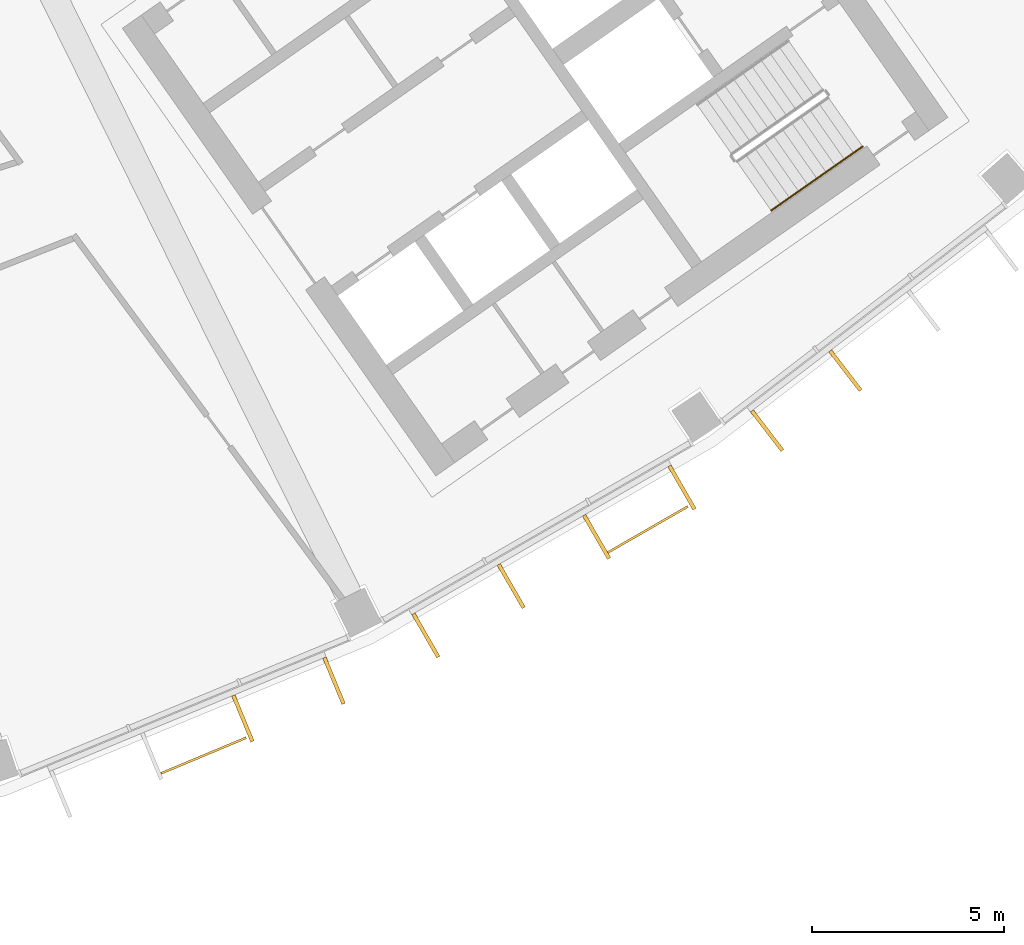
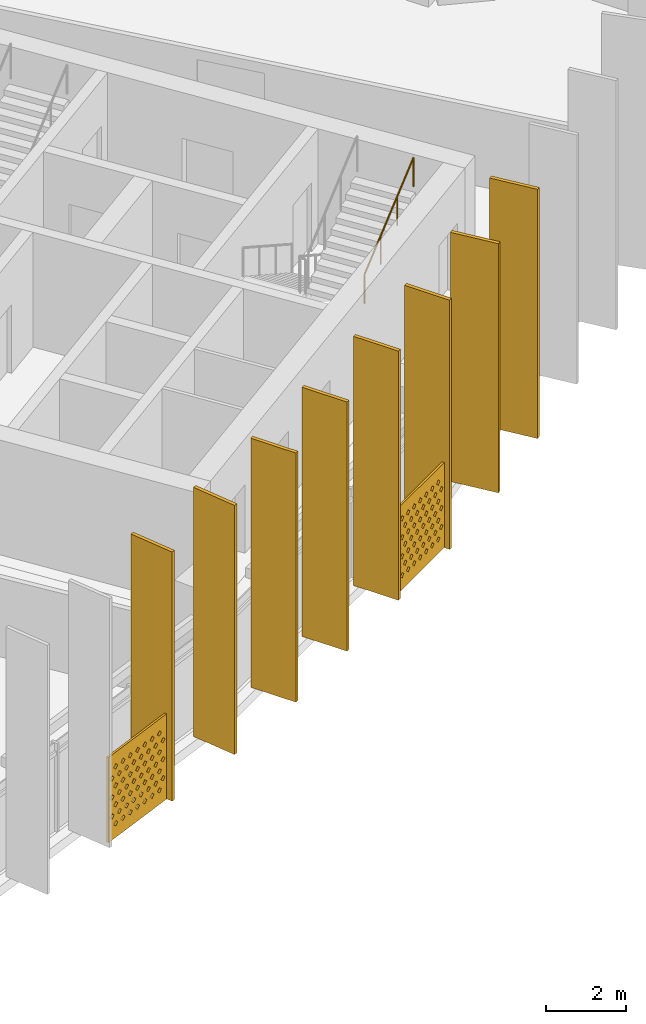
# One storey, part 27 of 29: 10 shading devices, 1 railing.
"""IFC4 building model written with IfcOpenShell, lengths in metres."""

from ifc_helpers import new_model, si_unit, direction, frame, origin, origin_2d, place, context, subcontext, project, spatial, polyline, rectangle, circle, outline, extrude, material, material_profile, profile_set, type_object, element, save


model = new_model("IFC4")

# Units and contexts
model_context = context("Model", 3, precision=1e-05, world=origin(), true_north=direction((0.0, 1.0)))
body_context = subcontext(model_context, "Body", "Model", "MODEL_VIEW")
ifc_project = project(units=[si_unit("LENGTHUNIT", "METRE"), si_unit("AREAUNIT", "SQUARE_METRE"), si_unit("VOLUMEUNIT", "CUBIC_METRE"), si_unit("PLANEANGLEUNIT", "RADIAN"), si_unit("MASSUNIT", "GRAM", prefix="KILO")], contexts=[model_context])

# Site, building, storey
site_placement = place(None, origin())
site = spatial("IfcSite", under=ifc_project, at=site_placement, CompositionType="ELEMENT")
building_placement = place(site_placement, origin())
building = spatial("IfcBuilding", under=site, at=building_placement, Name="Qamariyya Broadcast Tower", CompositionType="ELEMENT")
storey_placement = place(building_placement, frame((0.0, 0.0, 258.10009765625)))
storey = spatial("IfcBuildingStorey", under=building, at=storey_placement, Name="L62", CompositionType="ELEMENT", Elevation=258.10009765625)

# Shading devices
ifc_material_1 = material(Name="Perforated glazed terracotta", Category="masonry")
ifc_material_profile_1 = material_profile(ifc_material_1, outline(polyline([(-1.199951171875, -1.300048828125), (1.199951171875, -1.300048828125), (1.199951171875, 1.300048828125), (-1.199951171875, 1.300048828125), (-1.199951171875, -1.300048828125)]), holes=[polyline([(-0.81494140625, -0.86669921875), (-0.89990234375, -0.78173828125), (-0.985107421875, -0.86669921875), (-0.89990234375, -0.95166015625), (-0.81494140625, -0.86669921875)]), polyline([(-0.514892578125, -0.86669921875), (-0.60009765625, -0.78173828125), (-0.68505859375, -0.86669921875), (-0.60009765625, -0.95166015625), (-0.514892578125, -0.86669921875)]), polyline([(-0.215087890625, -0.86669921875), (-0.300048828125, -0.78173828125), (-0.385009765625, -0.86669921875), (-0.300048828125, -0.95166015625), (-0.215087890625, -0.86669921875)]), polyline([(0.0849609375, -0.86669921875), (0.0, -0.78173828125), (-0.0849609375, -0.86669921875), (0.0, -0.95166015625), (0.0849609375, -0.86669921875)]), polyline([(0.385009765625, -0.86669921875), (0.300048828125, -0.78173828125), (0.215087890625, -0.86669921875), (0.300048828125, -0.95166015625), (0.385009765625, -0.86669921875)]), polyline([(0.68505859375, -0.86669921875), (0.60009765625, -0.78173828125), (0.514892578125, -0.86669921875), (0.60009765625, -0.95166015625), (0.68505859375, -0.86669921875)]), polyline([(0.985107421875, -0.86669921875), (0.89990234375, -0.78173828125), (0.81494140625, -0.86669921875), (0.89990234375, -0.95166015625), (0.985107421875, -0.86669921875)]), polyline([(-0.965087890625, -0.577880859375), (-1.050048828125, -0.49267578125), (-1.135009765625, -0.577880859375), (-1.050048828125, -0.662841796875), (-0.965087890625, -0.577880859375)]), polyline([(-0.6650390625, -0.577880859375), (-0.75, -0.49267578125), (-0.8349609375, -0.577880859375), (-0.75, -0.662841796875), (-0.6650390625, -0.577880859375)]), polyline([(-0.364990234375, -0.577880859375), (-0.449951171875, -0.49267578125), (-0.534912109375, -0.577880859375), (-0.449951171875, -0.662841796875), (-0.364990234375, -0.577880859375)]), polyline([(-0.06494140625, -0.577880859375), (-0.14990234375, -0.49267578125), (-0.235107421875, -0.577880859375), (-0.14990234375, -0.662841796875), (-0.06494140625, -0.577880859375)]), polyline([(0.235107421875, -0.577880859375), (0.14990234375, -0.49267578125), (0.06494140625, -0.577880859375), (0.14990234375, -0.662841796875), (0.235107421875, -0.577880859375)]), polyline([(0.534912109375, -0.577880859375), (0.449951171875, -0.49267578125), (0.364990234375, -0.577880859375), (0.449951171875, -0.662841796875), (0.534912109375, -0.577880859375)]), polyline([(0.8349609375, -0.577880859375), (0.75, -0.49267578125), (0.6650390625, -0.577880859375), (0.75, -0.662841796875), (0.8349609375, -0.577880859375)]), polyline([(1.135009765625, -0.577880859375), (1.050048828125, -0.49267578125), (0.965087890625, -0.577880859375), (1.050048828125, -0.662841796875), (1.135009765625, -0.577880859375)]), polyline([(-0.81494140625, -0.288818359375), (-0.89990234375, -0.203857421875), (-0.985107421875, -0.288818359375), (-0.89990234375, -0.373779296875), (-0.81494140625, -0.288818359375)]), polyline([(-0.514892578125, -0.288818359375), (-0.60009765625, -0.203857421875), (-0.68505859375, -0.288818359375), (-0.60009765625, -0.373779296875), (-0.514892578125, -0.288818359375)]), polyline([(-0.215087890625, -0.288818359375), (-0.300048828125, -0.203857421875), (-0.385009765625, -0.288818359375), (-0.300048828125, -0.373779296875), (-0.215087890625, -0.288818359375)]), polyline([(0.0849609375, -0.288818359375), (0.0, -0.203857421875), (-0.0849609375, -0.288818359375), (0.0, -0.373779296875), (0.0849609375, -0.288818359375)]), polyline([(0.385009765625, -0.288818359375), (0.300048828125, -0.203857421875), (0.215087890625, -0.288818359375), (0.300048828125, -0.373779296875), (0.385009765625, -0.288818359375)]), polyline([(0.68505859375, -0.288818359375), (0.60009765625, -0.203857421875), (0.514892578125, -0.288818359375), (0.60009765625, -0.373779296875), (0.68505859375, -0.288818359375)]), polyline([(0.985107421875, -0.288818359375), (0.89990234375, -0.203857421875), (0.81494140625, -0.288818359375), (0.89990234375, -0.373779296875), (0.985107421875, -0.288818359375)]), polyline([(-0.965087890625, 0.0), (-1.050048828125, 0.0849609375), (-1.135009765625, 0.0), (-1.050048828125, -0.0849609375), (-0.965087890625, 0.0)]), polyline([(-0.6650390625, 0.0), (-0.75, 0.0849609375), (-0.8349609375, 0.0), (-0.75, -0.0849609375), (-0.6650390625, 0.0)]), polyline([(-0.364990234375, 0.0), (-0.449951171875, 0.0849609375), (-0.534912109375, 0.0), (-0.449951171875, -0.0849609375), (-0.364990234375, 0.0)]), polyline([(-0.06494140625, 0.0), (-0.14990234375, 0.0849609375), (-0.235107421875, 0.0), (-0.14990234375, -0.0849609375), (-0.06494140625, 0.0)]), polyline([(0.235107421875, 0.0), (0.14990234375, 0.0849609375), (0.06494140625, 0.0), (0.14990234375, -0.0849609375), (0.235107421875, 0.0)]), polyline([(0.534912109375, 0.0), (0.449951171875, 0.0849609375), (0.364990234375, 0.0), (0.449951171875, -0.0849609375), (0.534912109375, 0.0)]), polyline([(0.8349609375, 0.0), (0.75, 0.0849609375), (0.6650390625, 0.0), (0.75, -0.0849609375), (0.8349609375, 0.0)]), polyline([(1.135009765625, 0.0), (1.050048828125, 0.0849609375), (0.965087890625, 0.0), (1.050048828125, -0.0849609375), (1.135009765625, 0.0)]), polyline([(-0.81494140625, 0.288818359375), (-0.89990234375, 0.373779296875), (-0.985107421875, 0.288818359375), (-0.89990234375, 0.203857421875), (-0.81494140625, 0.288818359375)]), polyline([(-0.514892578125, 0.288818359375), (-0.60009765625, 0.373779296875), (-0.68505859375, 0.288818359375), (-0.60009765625, 0.203857421875), (-0.514892578125, 0.288818359375)]), polyline([(-0.215087890625, 0.288818359375), (-0.300048828125, 0.373779296875), (-0.385009765625, 0.288818359375), (-0.300048828125, 0.203857421875), (-0.215087890625, 0.288818359375)]), polyline([(0.0849609375, 0.288818359375), (0.0, 0.373779296875), (-0.0849609375, 0.288818359375), (0.0, 0.203857421875), (0.0849609375, 0.288818359375)]), polyline([(0.385009765625, 0.288818359375), (0.300048828125, 0.373779296875), (0.215087890625, 0.288818359375), (0.300048828125, 0.203857421875), (0.385009765625, 0.288818359375)]), polyline([(0.68505859375, 0.288818359375), (0.60009765625, 0.373779296875), (0.514892578125, 0.288818359375), (0.60009765625, 0.203857421875), (0.68505859375, 0.288818359375)]), polyline([(0.985107421875, 0.288818359375), (0.89990234375, 0.373779296875), (0.81494140625, 0.288818359375), (0.89990234375, 0.203857421875), (0.985107421875, 0.288818359375)]), polyline([(-0.965087890625, 0.577880859375), (-1.050048828125, 0.662841796875), (-1.135009765625, 0.577880859375), (-1.050048828125, 0.49267578125), (-0.965087890625, 0.577880859375)]), polyline([(-0.6650390625, 0.577880859375), (-0.75, 0.662841796875), (-0.8349609375, 0.577880859375), (-0.75, 0.49267578125), (-0.6650390625, 0.577880859375)]), polyline([(-0.364990234375, 0.577880859375), (-0.449951171875, 0.662841796875), (-0.534912109375, 0.577880859375), (-0.449951171875, 0.49267578125), (-0.364990234375, 0.577880859375)]), polyline([(-0.06494140625, 0.577880859375), (-0.14990234375, 0.662841796875), (-0.235107421875, 0.577880859375), (-0.14990234375, 0.49267578125), (-0.06494140625, 0.577880859375)]), polyline([(0.235107421875, 0.577880859375), (0.14990234375, 0.662841796875), (0.06494140625, 0.577880859375), (0.14990234375, 0.49267578125), (0.235107421875, 0.577880859375)]), polyline([(0.534912109375, 0.577880859375), (0.449951171875, 0.662841796875), (0.364990234375, 0.577880859375), (0.449951171875, 0.49267578125), (0.534912109375, 0.577880859375)]), polyline([(0.8349609375, 0.577880859375), (0.75, 0.662841796875), (0.6650390625, 0.577880859375), (0.75, 0.49267578125), (0.8349609375, 0.577880859375)]), polyline([(1.135009765625, 0.577880859375), (1.050048828125, 0.662841796875), (0.965087890625, 0.577880859375), (1.050048828125, 0.49267578125), (1.135009765625, 0.577880859375)]), polyline([(-0.81494140625, 0.86669921875), (-0.89990234375, 0.95166015625), (-0.985107421875, 0.86669921875), (-0.89990234375, 0.78173828125), (-0.81494140625, 0.86669921875)]), polyline([(-0.514892578125, 0.86669921875), (-0.60009765625, 0.95166015625), (-0.68505859375, 0.86669921875), (-0.60009765625, 0.78173828125), (-0.514892578125, 0.86669921875)]), polyline([(-0.215087890625, 0.86669921875), (-0.300048828125, 0.95166015625), (-0.385009765625, 0.86669921875), (-0.300048828125, 0.78173828125), (-0.215087890625, 0.86669921875)]), polyline([(0.0849609375, 0.86669921875), (0.0, 0.95166015625), (-0.0849609375, 0.86669921875), (0.0, 0.78173828125), (0.0849609375, 0.86669921875)]), polyline([(0.385009765625, 0.86669921875), (0.300048828125, 0.95166015625), (0.215087890625, 0.86669921875), (0.300048828125, 0.78173828125), (0.385009765625, 0.86669921875)]), polyline([(0.68505859375, 0.86669921875), (0.60009765625, 0.95166015625), (0.514892578125, 0.86669921875), (0.60009765625, 0.78173828125), (0.68505859375, 0.86669921875)]), polyline([(0.985107421875, 0.86669921875), (0.89990234375, 0.95166015625), (0.81494140625, 0.86669921875), (0.89990234375, 0.78173828125), (0.985107421875, 0.86669921875)])]))
ifc_profile_set_1 = profile_set([ifc_material_profile_1], Name="Perforated glazed terracotta")
shading_device_type_1 = type_object("IfcShadingDeviceType", Name="Perforated terracotta screen 2400 x 2600", PredefinedType="USERDEFINED", material=ifc_profile_set_1)
shading_device_1_placement = place(storey_placement, frame((30.376220703125, -73.416259765625, 1.349853515625), z_axis=(0.386057671614, -0.922474646908, 0.0), x_axis=(0.922474646908, 0.386057671614, 0.0)))
element("IfcShadingDevice", 1, at=shading_device_1_placement, inside=storey, type_object=shading_device_type_1, Name="e-scr-L62-10-1", ObjectType="SCREEN", PredefinedType="USERDEFINED", context=body_context, shape_type="SweptSolid", body=[
    extrude(outline(polyline([(-1.199951171875, -1.300048828125), (1.199951171875, -1.300048828125), (1.199951171875, 1.300048828125), (-1.199951171875, 1.300048828125), (-1.199951171875, -1.300048828125)]), holes=[polyline([(-0.81494140625, -0.86669921875), (-0.89990234375, -0.78173828125), (-0.985107421875, -0.86669921875), (-0.89990234375, -0.95166015625), (-0.81494140625, -0.86669921875)]), polyline([(-0.514892578125, -0.86669921875), (-0.60009765625, -0.78173828125), (-0.68505859375, -0.86669921875), (-0.60009765625, -0.95166015625), (-0.514892578125, -0.86669921875)]), polyline([(-0.215087890625, -0.86669921875), (-0.300048828125, -0.78173828125), (-0.385009765625, -0.86669921875), (-0.300048828125, -0.95166015625), (-0.215087890625, -0.86669921875)]), polyline([(0.0849609375, -0.86669921875), (0.0, -0.78173828125), (-0.0849609375, -0.86669921875), (0.0, -0.95166015625), (0.0849609375, -0.86669921875)]), polyline([(0.385009765625, -0.86669921875), (0.300048828125, -0.78173828125), (0.215087890625, -0.86669921875), (0.300048828125, -0.95166015625), (0.385009765625, -0.86669921875)]), polyline([(0.68505859375, -0.86669921875), (0.60009765625, -0.78173828125), (0.514892578125, -0.86669921875), (0.60009765625, -0.95166015625), (0.68505859375, -0.86669921875)]), polyline([(0.985107421875, -0.86669921875), (0.89990234375, -0.78173828125), (0.81494140625, -0.86669921875), (0.89990234375, -0.95166015625), (0.985107421875, -0.86669921875)]), polyline([(-0.965087890625, -0.577880859375), (-1.050048828125, -0.49267578125), (-1.135009765625, -0.577880859375), (-1.050048828125, -0.662841796875), (-0.965087890625, -0.577880859375)]), polyline([(-0.6650390625, -0.577880859375), (-0.75, -0.49267578125), (-0.8349609375, -0.577880859375), (-0.75, -0.662841796875), (-0.6650390625, -0.577880859375)]), polyline([(-0.364990234375, -0.577880859375), (-0.449951171875, -0.49267578125), (-0.534912109375, -0.577880859375), (-0.449951171875, -0.662841796875), (-0.364990234375, -0.577880859375)]), polyline([(-0.06494140625, -0.577880859375), (-0.14990234375, -0.49267578125), (-0.235107421875, -0.577880859375), (-0.14990234375, -0.662841796875), (-0.06494140625, -0.577880859375)]), polyline([(0.235107421875, -0.577880859375), (0.14990234375, -0.49267578125), (0.06494140625, -0.577880859375), (0.14990234375, -0.662841796875), (0.235107421875, -0.577880859375)]), polyline([(0.534912109375, -0.577880859375), (0.449951171875, -0.49267578125), (0.364990234375, -0.577880859375), (0.449951171875, -0.662841796875), (0.534912109375, -0.577880859375)]), polyline([(0.8349609375, -0.577880859375), (0.75, -0.49267578125), (0.6650390625, -0.577880859375), (0.75, -0.662841796875), (0.8349609375, -0.577880859375)]), polyline([(1.135009765625, -0.577880859375), (1.050048828125, -0.49267578125), (0.965087890625, -0.577880859375), (1.050048828125, -0.662841796875), (1.135009765625, -0.577880859375)]), polyline([(-0.81494140625, -0.288818359375), (-0.89990234375, -0.203857421875), (-0.985107421875, -0.288818359375), (-0.89990234375, -0.373779296875), (-0.81494140625, -0.288818359375)]), polyline([(-0.514892578125, -0.288818359375), (-0.60009765625, -0.203857421875), (-0.68505859375, -0.288818359375), (-0.60009765625, -0.373779296875), (-0.514892578125, -0.288818359375)]), polyline([(-0.215087890625, -0.288818359375), (-0.300048828125, -0.203857421875), (-0.385009765625, -0.288818359375), (-0.300048828125, -0.373779296875), (-0.215087890625, -0.288818359375)]), polyline([(0.0849609375, -0.288818359375), (0.0, -0.203857421875), (-0.0849609375, -0.288818359375), (0.0, -0.373779296875), (0.0849609375, -0.288818359375)]), polyline([(0.385009765625, -0.288818359375), (0.300048828125, -0.203857421875), (0.215087890625, -0.288818359375), (0.300048828125, -0.373779296875), (0.385009765625, -0.288818359375)]), polyline([(0.68505859375, -0.288818359375), (0.60009765625, -0.203857421875), (0.514892578125, -0.288818359375), (0.60009765625, -0.373779296875), (0.68505859375, -0.288818359375)]), polyline([(0.985107421875, -0.288818359375), (0.89990234375, -0.203857421875), (0.81494140625, -0.288818359375), (0.89990234375, -0.373779296875), (0.985107421875, -0.288818359375)]), polyline([(-0.965087890625, 0.0), (-1.050048828125, 0.0849609375), (-1.135009765625, 0.0), (-1.050048828125, -0.0849609375), (-0.965087890625, 0.0)]), polyline([(-0.6650390625, 0.0), (-0.75, 0.0849609375), (-0.8349609375, 0.0), (-0.75, -0.0849609375), (-0.6650390625, 0.0)]), polyline([(-0.364990234375, 0.0), (-0.449951171875, 0.0849609375), (-0.534912109375, 0.0), (-0.449951171875, -0.0849609375), (-0.364990234375, 0.0)]), polyline([(-0.06494140625, 0.0), (-0.14990234375, 0.0849609375), (-0.235107421875, 0.0), (-0.14990234375, -0.0849609375), (-0.06494140625, 0.0)]), polyline([(0.235107421875, 0.0), (0.14990234375, 0.0849609375), (0.06494140625, 0.0), (0.14990234375, -0.0849609375), (0.235107421875, 0.0)]), polyline([(0.534912109375, 0.0), (0.449951171875, 0.0849609375), (0.364990234375, 0.0), (0.449951171875, -0.0849609375), (0.534912109375, 0.0)]), polyline([(0.8349609375, 0.0), (0.75, 0.0849609375), (0.6650390625, 0.0), (0.75, -0.0849609375), (0.8349609375, 0.0)]), polyline([(1.135009765625, 0.0), (1.050048828125, 0.0849609375), (0.965087890625, 0.0), (1.050048828125, -0.0849609375), (1.135009765625, 0.0)]), polyline([(-0.81494140625, 0.288818359375), (-0.89990234375, 0.373779296875), (-0.985107421875, 0.288818359375), (-0.89990234375, 0.203857421875), (-0.81494140625, 0.288818359375)]), polyline([(-0.514892578125, 0.288818359375), (-0.60009765625, 0.373779296875), (-0.68505859375, 0.288818359375), (-0.60009765625, 0.203857421875), (-0.514892578125, 0.288818359375)]), polyline([(-0.215087890625, 0.288818359375), (-0.300048828125, 0.373779296875), (-0.385009765625, 0.288818359375), (-0.300048828125, 0.203857421875), (-0.215087890625, 0.288818359375)]), polyline([(0.0849609375, 0.288818359375), (0.0, 0.373779296875), (-0.0849609375, 0.288818359375), (0.0, 0.203857421875), (0.0849609375, 0.288818359375)]), polyline([(0.385009765625, 0.288818359375), (0.300048828125, 0.373779296875), (0.215087890625, 0.288818359375), (0.300048828125, 0.203857421875), (0.385009765625, 0.288818359375)]), polyline([(0.68505859375, 0.288818359375), (0.60009765625, 0.373779296875), (0.514892578125, 0.288818359375), (0.60009765625, 0.203857421875), (0.68505859375, 0.288818359375)]), polyline([(0.985107421875, 0.288818359375), (0.89990234375, 0.373779296875), (0.81494140625, 0.288818359375), (0.89990234375, 0.203857421875), (0.985107421875, 0.288818359375)]), polyline([(-0.965087890625, 0.577880859375), (-1.050048828125, 0.662841796875), (-1.135009765625, 0.577880859375), (-1.050048828125, 0.49267578125), (-0.965087890625, 0.577880859375)]), polyline([(-0.6650390625, 0.577880859375), (-0.75, 0.662841796875), (-0.8349609375, 0.577880859375), (-0.75, 0.49267578125), (-0.6650390625, 0.577880859375)]), polyline([(-0.364990234375, 0.577880859375), (-0.449951171875, 0.662841796875), (-0.534912109375, 0.577880859375), (-0.449951171875, 0.49267578125), (-0.364990234375, 0.577880859375)]), polyline([(-0.06494140625, 0.577880859375), (-0.14990234375, 0.662841796875), (-0.235107421875, 0.577880859375), (-0.14990234375, 0.49267578125), (-0.06494140625, 0.577880859375)]), polyline([(0.235107421875, 0.577880859375), (0.14990234375, 0.662841796875), (0.06494140625, 0.577880859375), (0.14990234375, 0.49267578125), (0.235107421875, 0.577880859375)]), polyline([(0.534912109375, 0.577880859375), (0.449951171875, 0.662841796875), (0.364990234375, 0.577880859375), (0.449951171875, 0.49267578125), (0.534912109375, 0.577880859375)]), polyline([(0.8349609375, 0.577880859375), (0.75, 0.662841796875), (0.6650390625, 0.577880859375), (0.75, 0.49267578125), (0.8349609375, 0.577880859375)]), polyline([(1.135009765625, 0.577880859375), (1.050048828125, 0.662841796875), (0.965087890625, 0.577880859375), (1.050048828125, 0.49267578125), (1.135009765625, 0.577880859375)]), polyline([(-0.81494140625, 0.86669921875), (-0.89990234375, 0.95166015625), (-0.985107421875, 0.86669921875), (-0.89990234375, 0.78173828125), (-0.81494140625, 0.86669921875)]), polyline([(-0.514892578125, 0.86669921875), (-0.60009765625, 0.95166015625), (-0.68505859375, 0.86669921875), (-0.60009765625, 0.78173828125), (-0.514892578125, 0.86669921875)]), polyline([(-0.215087890625, 0.86669921875), (-0.300048828125, 0.95166015625), (-0.385009765625, 0.86669921875), (-0.300048828125, 0.78173828125), (-0.215087890625, 0.86669921875)]), polyline([(0.0849609375, 0.86669921875), (0.0, 0.95166015625), (-0.0849609375, 0.86669921875), (0.0, 0.78173828125), (0.0849609375, 0.86669921875)]), polyline([(0.385009765625, 0.86669921875), (0.300048828125, 0.95166015625), (0.215087890625, 0.86669921875), (0.300048828125, 0.78173828125), (0.385009765625, 0.86669921875)]), polyline([(0.68505859375, 0.86669921875), (0.60009765625, 0.95166015625), (0.514892578125, 0.86669921875), (0.60009765625, 0.78173828125), (0.68505859375, 0.86669921875)]), polyline([(0.985107421875, 0.86669921875), (0.89990234375, 0.95166015625), (0.81494140625, 0.86669921875), (0.89990234375, 0.78173828125), (0.985107421875, 0.86669921875)])]), origin(), (0.0, 0.0, 1.0), 0.06005859375),
])
shading_device_2_placement = place(storey_placement, frame((41.918212890625, -67.542236328125, 1.349853515625), z_axis=(0.498778343083, -0.866729579783, 0.0), x_axis=(0.866729579783, 0.498778343083, 0.0)))
element("IfcShadingDevice", 2, at=shading_device_2_placement, inside=storey, type_object=shading_device_type_1, Name="e-scr-L62-11-2", ObjectType="SCREEN", PredefinedType="USERDEFINED", context=body_context, shape_type="SweptSolid", body=[
    extrude(outline(polyline([(-1.199951171875, -1.300048828125), (1.199951171875, -1.300048828125), (1.199951171875, 1.300048828125), (-1.199951171875, 1.300048828125), (-1.199951171875, -1.300048828125)]), holes=[polyline([(-0.81494140625, -0.86669921875), (-0.89990234375, -0.78173828125), (-0.985107421875, -0.86669921875), (-0.89990234375, -0.95166015625), (-0.81494140625, -0.86669921875)]), polyline([(-0.514892578125, -0.86669921875), (-0.60009765625, -0.78173828125), (-0.68505859375, -0.86669921875), (-0.60009765625, -0.95166015625), (-0.514892578125, -0.86669921875)]), polyline([(-0.215087890625, -0.86669921875), (-0.300048828125, -0.78173828125), (-0.385009765625, -0.86669921875), (-0.300048828125, -0.95166015625), (-0.215087890625, -0.86669921875)]), polyline([(0.0849609375, -0.86669921875), (0.0, -0.78173828125), (-0.0849609375, -0.86669921875), (0.0, -0.95166015625), (0.0849609375, -0.86669921875)]), polyline([(0.385009765625, -0.86669921875), (0.300048828125, -0.78173828125), (0.215087890625, -0.86669921875), (0.300048828125, -0.95166015625), (0.385009765625, -0.86669921875)]), polyline([(0.68505859375, -0.86669921875), (0.60009765625, -0.78173828125), (0.514892578125, -0.86669921875), (0.60009765625, -0.95166015625), (0.68505859375, -0.86669921875)]), polyline([(0.985107421875, -0.86669921875), (0.89990234375, -0.78173828125), (0.81494140625, -0.86669921875), (0.89990234375, -0.95166015625), (0.985107421875, -0.86669921875)]), polyline([(-0.965087890625, -0.577880859375), (-1.050048828125, -0.49267578125), (-1.135009765625, -0.577880859375), (-1.050048828125, -0.662841796875), (-0.965087890625, -0.577880859375)]), polyline([(-0.6650390625, -0.577880859375), (-0.75, -0.49267578125), (-0.8349609375, -0.577880859375), (-0.75, -0.662841796875), (-0.6650390625, -0.577880859375)]), polyline([(-0.364990234375, -0.577880859375), (-0.449951171875, -0.49267578125), (-0.534912109375, -0.577880859375), (-0.449951171875, -0.662841796875), (-0.364990234375, -0.577880859375)]), polyline([(-0.06494140625, -0.577880859375), (-0.14990234375, -0.49267578125), (-0.235107421875, -0.577880859375), (-0.14990234375, -0.662841796875), (-0.06494140625, -0.577880859375)]), polyline([(0.235107421875, -0.577880859375), (0.14990234375, -0.49267578125), (0.06494140625, -0.577880859375), (0.14990234375, -0.662841796875), (0.235107421875, -0.577880859375)]), polyline([(0.534912109375, -0.577880859375), (0.449951171875, -0.49267578125), (0.364990234375, -0.577880859375), (0.449951171875, -0.662841796875), (0.534912109375, -0.577880859375)]), polyline([(0.8349609375, -0.577880859375), (0.75, -0.49267578125), (0.6650390625, -0.577880859375), (0.75, -0.662841796875), (0.8349609375, -0.577880859375)]), polyline([(1.135009765625, -0.577880859375), (1.050048828125, -0.49267578125), (0.965087890625, -0.577880859375), (1.050048828125, -0.662841796875), (1.135009765625, -0.577880859375)]), polyline([(-0.81494140625, -0.288818359375), (-0.89990234375, -0.203857421875), (-0.985107421875, -0.288818359375), (-0.89990234375, -0.373779296875), (-0.81494140625, -0.288818359375)]), polyline([(-0.514892578125, -0.288818359375), (-0.60009765625, -0.203857421875), (-0.68505859375, -0.288818359375), (-0.60009765625, -0.373779296875), (-0.514892578125, -0.288818359375)]), polyline([(-0.215087890625, -0.288818359375), (-0.300048828125, -0.203857421875), (-0.385009765625, -0.288818359375), (-0.300048828125, -0.373779296875), (-0.215087890625, -0.288818359375)]), polyline([(0.0849609375, -0.288818359375), (0.0, -0.203857421875), (-0.0849609375, -0.288818359375), (0.0, -0.373779296875), (0.0849609375, -0.288818359375)]), polyline([(0.385009765625, -0.288818359375), (0.300048828125, -0.203857421875), (0.215087890625, -0.288818359375), (0.300048828125, -0.373779296875), (0.385009765625, -0.288818359375)]), polyline([(0.68505859375, -0.288818359375), (0.60009765625, -0.203857421875), (0.514892578125, -0.288818359375), (0.60009765625, -0.373779296875), (0.68505859375, -0.288818359375)]), polyline([(0.985107421875, -0.288818359375), (0.89990234375, -0.203857421875), (0.81494140625, -0.288818359375), (0.89990234375, -0.373779296875), (0.985107421875, -0.288818359375)]), polyline([(-0.965087890625, 0.0), (-1.050048828125, 0.0849609375), (-1.135009765625, 0.0), (-1.050048828125, -0.0849609375), (-0.965087890625, 0.0)]), polyline([(-0.6650390625, 0.0), (-0.75, 0.0849609375), (-0.8349609375, 0.0), (-0.75, -0.0849609375), (-0.6650390625, 0.0)]), polyline([(-0.364990234375, 0.0), (-0.449951171875, 0.0849609375), (-0.534912109375, 0.0), (-0.449951171875, -0.0849609375), (-0.364990234375, 0.0)]), polyline([(-0.06494140625, 0.0), (-0.14990234375, 0.0849609375), (-0.235107421875, 0.0), (-0.14990234375, -0.0849609375), (-0.06494140625, 0.0)]), polyline([(0.235107421875, 0.0), (0.14990234375, 0.0849609375), (0.06494140625, 0.0), (0.14990234375, -0.0849609375), (0.235107421875, 0.0)]), polyline([(0.534912109375, 0.0), (0.449951171875, 0.0849609375), (0.364990234375, 0.0), (0.449951171875, -0.0849609375), (0.534912109375, 0.0)]), polyline([(0.8349609375, 0.0), (0.75, 0.0849609375), (0.6650390625, 0.0), (0.75, -0.0849609375), (0.8349609375, 0.0)]), polyline([(1.135009765625, 0.0), (1.050048828125, 0.0849609375), (0.965087890625, 0.0), (1.050048828125, -0.0849609375), (1.135009765625, 0.0)]), polyline([(-0.81494140625, 0.288818359375), (-0.89990234375, 0.373779296875), (-0.985107421875, 0.288818359375), (-0.89990234375, 0.203857421875), (-0.81494140625, 0.288818359375)]), polyline([(-0.514892578125, 0.288818359375), (-0.60009765625, 0.373779296875), (-0.68505859375, 0.288818359375), (-0.60009765625, 0.203857421875), (-0.514892578125, 0.288818359375)]), polyline([(-0.215087890625, 0.288818359375), (-0.300048828125, 0.373779296875), (-0.385009765625, 0.288818359375), (-0.300048828125, 0.203857421875), (-0.215087890625, 0.288818359375)]), polyline([(0.0849609375, 0.288818359375), (0.0, 0.373779296875), (-0.0849609375, 0.288818359375), (0.0, 0.203857421875), (0.0849609375, 0.288818359375)]), polyline([(0.385009765625, 0.288818359375), (0.300048828125, 0.373779296875), (0.215087890625, 0.288818359375), (0.300048828125, 0.203857421875), (0.385009765625, 0.288818359375)]), polyline([(0.68505859375, 0.288818359375), (0.60009765625, 0.373779296875), (0.514892578125, 0.288818359375), (0.60009765625, 0.203857421875), (0.68505859375, 0.288818359375)]), polyline([(0.985107421875, 0.288818359375), (0.89990234375, 0.373779296875), (0.81494140625, 0.288818359375), (0.89990234375, 0.203857421875), (0.985107421875, 0.288818359375)]), polyline([(-0.965087890625, 0.577880859375), (-1.050048828125, 0.662841796875), (-1.135009765625, 0.577880859375), (-1.050048828125, 0.49267578125), (-0.965087890625, 0.577880859375)]), polyline([(-0.6650390625, 0.577880859375), (-0.75, 0.662841796875), (-0.8349609375, 0.577880859375), (-0.75, 0.49267578125), (-0.6650390625, 0.577880859375)]), polyline([(-0.364990234375, 0.577880859375), (-0.449951171875, 0.662841796875), (-0.534912109375, 0.577880859375), (-0.449951171875, 0.49267578125), (-0.364990234375, 0.577880859375)]), polyline([(-0.06494140625, 0.577880859375), (-0.14990234375, 0.662841796875), (-0.235107421875, 0.577880859375), (-0.14990234375, 0.49267578125), (-0.06494140625, 0.577880859375)]), polyline([(0.235107421875, 0.577880859375), (0.14990234375, 0.662841796875), (0.06494140625, 0.577880859375), (0.14990234375, 0.49267578125), (0.235107421875, 0.577880859375)]), polyline([(0.534912109375, 0.577880859375), (0.449951171875, 0.662841796875), (0.364990234375, 0.577880859375), (0.449951171875, 0.49267578125), (0.534912109375, 0.577880859375)]), polyline([(0.8349609375, 0.577880859375), (0.75, 0.662841796875), (0.6650390625, 0.577880859375), (0.75, 0.49267578125), (0.8349609375, 0.577880859375)]), polyline([(1.135009765625, 0.577880859375), (1.050048828125, 0.662841796875), (0.965087890625, 0.577880859375), (1.050048828125, 0.49267578125), (1.135009765625, 0.577880859375)]), polyline([(-0.81494140625, 0.86669921875), (-0.89990234375, 0.95166015625), (-0.985107421875, 0.86669921875), (-0.89990234375, 0.78173828125), (-0.81494140625, 0.86669921875)]), polyline([(-0.514892578125, 0.86669921875), (-0.60009765625, 0.95166015625), (-0.68505859375, 0.86669921875), (-0.60009765625, 0.78173828125), (-0.514892578125, 0.86669921875)]), polyline([(-0.215087890625, 0.86669921875), (-0.300048828125, 0.95166015625), (-0.385009765625, 0.86669921875), (-0.300048828125, 0.78173828125), (-0.215087890625, 0.86669921875)]), polyline([(0.0849609375, 0.86669921875), (0.0, 0.95166015625), (-0.0849609375, 0.86669921875), (0.0, 0.78173828125), (0.0849609375, 0.86669921875)]), polyline([(0.385009765625, 0.86669921875), (0.300048828125, 0.95166015625), (0.215087890625, 0.86669921875), (0.300048828125, 0.78173828125), (0.385009765625, 0.86669921875)]), polyline([(0.68505859375, 0.86669921875), (0.60009765625, 0.95166015625), (0.514892578125, 0.86669921875), (0.60009765625, 0.78173828125), (0.68505859375, 0.86669921875)]), polyline([(0.985107421875, 0.86669921875), (0.89990234375, 0.95166015625), (0.81494140625, 0.86669921875), (0.89990234375, 0.78173828125), (0.985107421875, 0.86669921875)])]), origin(), (0.0, 0.0, 1.0), 0.059814453125),
])

# Railing
ifc_material_2 = material(Name="Stainless steel", Category="steel")
railing_type = type_object("IfcRailingType", Name="Stair handrail", PredefinedType="HANDRAIL", material=ifc_material_2)
railing_placement = place(storey_placement, frame((45.137939453125, -59.28076171875, 2.072509765625)))
element("IfcRailing", 3, at=railing_placement, inside=storey, type_object=railing_type, Name="L62 ST-E1 stair handrail 2", PredefinedType="HANDRAIL", context=body_context, shape_type="SweptSolid", body=[
    extrude(circle(Radius=0.02392578125, at=origin_2d()), frame((0.0, 0.0, 0.8759765625), z_axis=(0.703770094002, 0.492783725636, 0.511734163933), x_axis=(-0.573575343427, 0.819152809562, 0.0)), (0.0, 0.0, 1.0), 3.37548828125),
    extrude(circle(Radius=0.02099609375, at=origin_2d()), origin(), (0.0, 0.0, 1.0), 0.851806640625),
    extrude(circle(Radius=0.02099609375, at=origin_2d()), frame((0.791748046875, 0.554443359375, 0.57568359375)), (0.0, 0.0, 1.0), 0.851806640625),
    extrude(circle(Radius=0.02099609375, at=origin_2d()), frame((1.583740234375, 1.10888671875, 1.151611328125)), (0.0, 0.0, 1.0), 0.851806640625),
    extrude(circle(Radius=0.02099609375, at=origin_2d()), frame((2.37548828125, 1.663330078125, 1.727294921875)), (0.0, 0.0, 1.0), 0.851806640625),
])

# Shading devices
ifc_material_3 = material(Name="Glazed terracotta", Category="masonry")
ifc_material_profile_2 = material_profile(ifc_material_3, rectangle(XDim=1.300048828125, YDim=0.10009765625, at=origin_2d()))
ifc_profile_set_2 = profile_set([ifc_material_profile_2], Name="Glazed terracotta")
shading_device_type_2 = type_object("IfcShadingDeviceType", Name="Terracotta fin 100 x 1300", PredefinedType="USERDEFINED", material=ifc_profile_set_2)
for number, where, z_axis, x_axis, name in (
    (4, (31.40869140625, -72.479736328125, 0.0), (0.0, 0.0, 1.0), (0.382683432365, -0.923879532511, 0.0), "e-fin-L62-10-2"),
    (5, (33.77587890625, -71.499267578125, 0.0), (0.0, 0.0, 1.0), (0.382683432365, -0.923879532511, 0.0), "e-fin-L62-10-3"),
    (6, (36.162841796875, -70.322265625, 0.0), (0.0, 0.0, 1.0), (0.5, -0.866025403784, 0.0), "e-fin-L62-11-0"),
    (7, (38.381591796875, -69.041259765625, 0.0), (0.0, 0.0, 1.0), (0.5, -0.866025403784, 0.0), "e-fin-L62-11-1"),
    (8, (40.6005859375, -67.760009765625, 0.0), (0.0, 0.0, 1.0), (0.5, -0.866025403784, 0.0), "e-fin-L62-11-2"),
    (9, (42.819580078125, -66.47900390625, 0.0), (0.0, 0.0, 1.0), (0.5, -0.866025403784, 0.0), "e-fin-L62-11-3"),
    (10, (45.0322265625, -65.00048828125, 0.0), (0.0, 0.0, 1.0), (0.608761429009, -0.793353340291, 0.0), "e-fin-L62-12-0"),
    (11, (47.06494140625, -63.440673828125, 0.0), (0.0, 0.0, 1.0), (0.608761429009, -0.793353340291, 0.0), "e-fin-L62-12-1"),
):
    element("IfcShadingDevice", number, at=place(storey_placement, frame(where, z_axis=z_axis, x_axis=x_axis)), inside=storey, type_object=shading_device_type_2, Name=name, ObjectType="FIN", PredefinedType="USERDEFINED", context=body_context, shape_type="SweptSolid", body=[
        extrude(rectangle(XDim=1.300048828125, YDim=0.10009765625, at=origin_2d()), origin(), (0.0, 0.0, 1.0), 7.599853515625),
    ])

save(model, "model.ifc")
